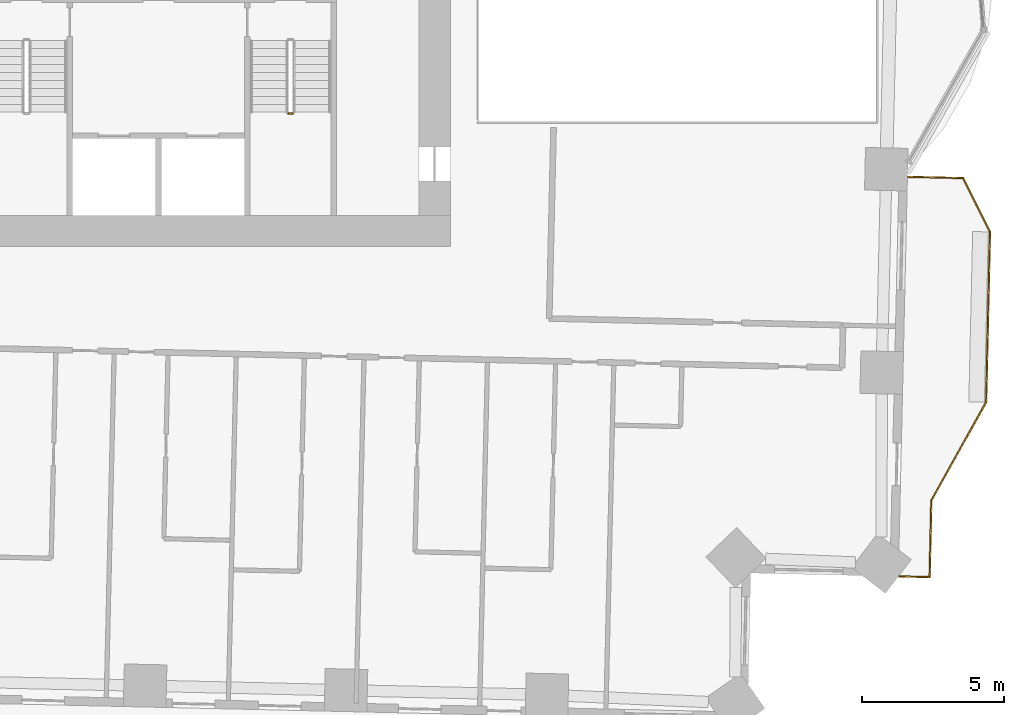
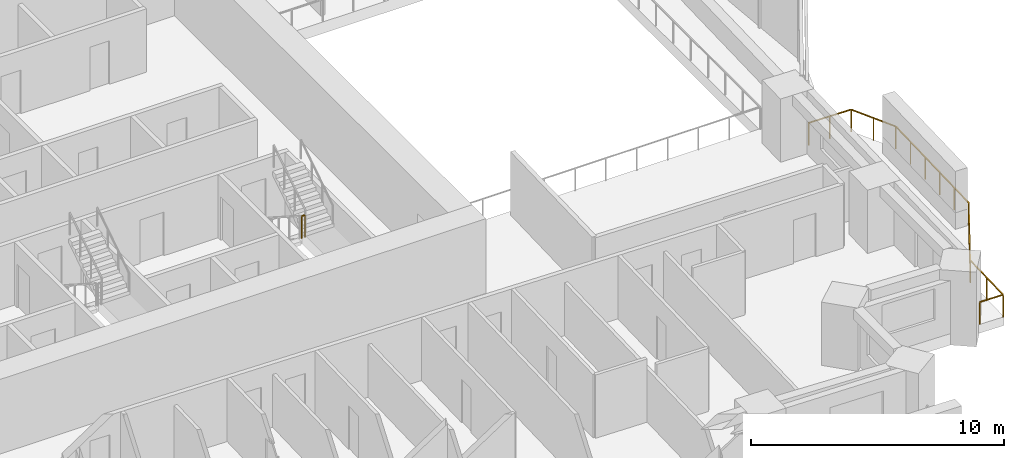
# One storey, part 17 of 19: 2 railings.
"""IFC4 building model written with IfcOpenShell, lengths in metres."""

import ifcopenshell
import ifcopenshell.guid

model = None  # the IFC model being written
_history = None  # IfcOwnerHistory: only IFC2X3 demands one
_inside = {}  # id of a spatial element -> (the spatial element, [elements in it])
_under = {}  # id of a project, library or spatial element -> (it, [spatial elements below it])
_declared = {}  # id of a project -> (the project, [libraries it declares])
_typed = {}  # id of a type object -> (the type object, [elements of that type])
_made_of = {}  # id of a material, layer set ... -> (it, [elements and type objects made of it])


def new_model(schema):
    """Start an empty IFC model of exactly this schema.

    Asked for "IFC4X3", IfcOpenShell would pick the latest addendum, in which some entities
    have other attributes; the version numbers below select the first issue.
    IFC2X3 requires an IfcOwnerHistory on every rooted entity: one is made here for all.
    """
    global model, _history
    if schema == "IFC4X3":
        model = ifcopenshell.file(schema_version=(4, 3, 0, 0))
    else:
        model = ifcopenshell.file(schema=schema)
    _inside.clear()
    _under.clear()
    _declared.clear()
    _typed.clear()
    _made_of.clear()
    _history = None
    if model.schema == "IFC2X3":
        org = make("IfcOrganization", Name="unknown")
        user = make(
            "IfcPersonAndOrganization",
            ThePerson=make("IfcPerson", FamilyName="unknown"),
            TheOrganization=org,
        )
        app = make(
            "IfcApplication",
            ApplicationDeveloper=org,
            Version="unknown",
            ApplicationFullName="unknown",
            ApplicationIdentifier="unknown",
        )
        _history = make(
            "IfcOwnerHistory",
            OwningUser=user,
            OwningApplication=app,
            ChangeAction="ADDED",
            CreationDate=0,
        )
    return model


def make(cls, **values):
    """One entity of the class cls with the attributes given. An attribute that is None is left unset."""
    return model.create_entity(
        cls, **{name: value for name, value in values.items() if value is not None}
    )


def rooted(cls, **values):
    """An entity with a GlobalId (a new one), such as an element, a storey or a relation."""
    return make(cls, GlobalId=ifcopenshell.guid.new(), OwnerHistory=_history, **values)


def si_unit(unit_type, name, prefix=None):
    """IfcSIUnit, for example si_unit("LENGTHUNIT", "METRE", prefix="MILLI")."""
    return make("IfcSIUnit", UnitType=unit_type, Prefix=prefix, Name=name)


def assignment(units):
    """IfcUnitAssignment: the units of a project."""
    return None if units is None else make("IfcUnitAssignment", Units=units)


def point(xyz):
    """IfcCartesianPoint."""
    return None if xyz is None else make("IfcCartesianPoint", Coordinates=xyz)


def direction(xyz):
    """IfcDirection."""
    return None if xyz is None else make("IfcDirection", DirectionRatios=xyz)


def frame(location, z_axis=None, x_axis=None):
    """IfcAxis2Placement3D, a coordinate frame: its origin and axes. An axis left out is left unset."""
    return make(
        "IfcAxis2Placement3D",
        Location=point(location),
        Axis=direction(z_axis),
        RefDirection=direction(x_axis),
    )


def frame_2d(location, x_axis=None):
    """IfcAxis2Placement2D, a coordinate frame in the plane: its origin and x axis."""
    return make(
        "IfcAxis2Placement2D", Location=point(location), RefDirection=direction(x_axis)
    )


def origin():
    """The frame at (0, 0, 0) with its axes left unset."""
    return frame((0.0, 0.0, 0.0))


def origin_2d():
    """The frame at (0, 0) in the plane with its x axis left unset."""
    return frame_2d((0.0, 0.0))


def place(relative_to, where):
    """IfcLocalPlacement: puts the frame where relative to a parent placement (None: the world)."""
    return make(
        "IfcLocalPlacement", PlacementRelTo=relative_to, RelativePlacement=where
    )


def context(
    kind, dimensions, precision=None, world=None, true_north=None, identifier=None
):
    """IfcGeometricRepresentationContext, for example the 3D "Model" context."""
    return make(
        "IfcGeometricRepresentationContext",
        ContextIdentifier=identifier,
        ContextType=kind,
        CoordinateSpaceDimension=dimensions,
        Precision=precision,
        WorldCoordinateSystem=world,
        TrueNorth=true_north,
    )


def subcontext(parent, identifier, kind, view, scale=None):
    """IfcGeometricRepresentationSubContext, for example "Body" below "Model"."""
    return make(
        "IfcGeometricRepresentationSubContext",
        ContextIdentifier=identifier,
        ContextType=kind,
        ParentContext=parent,
        TargetScale=scale,
        TargetView=view,
    )


def project(units=None, contexts=None):
    """IfcProject with its units and contexts."""
    return rooted(
        "IfcProject",
        Name="project",
        RepresentationContexts=contexts,
        UnitsInContext=assignment(units),
    )


def spatial(cls, under=None, at=None, **own):
    """A site, building, storey or space (cls), placed at a placement, below another one or the project."""
    s = rooted(cls, ObjectPlacement=at, **own)
    if under is not None:
        _under.setdefault(under.id(), (under, []))[1].append(s)
    return s


def profile(cls, at=None, kind="AREA", **sizes):
    """A parametric profile (cls). Its sizes go by their IFC names, for example OverallWidth=200.0."""
    return make(cls, ProfileType=kind, Position=at, **sizes)


def rectangle(**sizes):
    """IfcRectangleProfileDef."""
    return profile("IfcRectangleProfileDef", **sizes)


def extrude(swept, where, along, depth):
    """IfcExtrudedAreaSolid: the profile swept, set in the frame where, extruded along a direction by depth."""
    return make(
        "IfcExtrudedAreaSolid",
        SweptArea=swept,
        Position=where,
        ExtrudedDirection=direction(along),
        Depth=depth,
    )


def shape(context_of_items, identifier, shape_type, items):
    """IfcShapeRepresentation: the items that make up one representation, for example the "Body"."""
    return make(
        "IfcShapeRepresentation",
        ContextOfItems=context_of_items,
        RepresentationIdentifier=identifier,
        RepresentationType=shape_type,
        Items=items,
    )


def material(Name=None, Category=None):
    """IfcMaterial."""
    return make("IfcMaterial", Name=Name, Category=Category)


def made_of(thing, what):
    """Note that an element or type object is made of a material, layer set ...; save() writes the relation."""
    if what is not None:
        _made_of.setdefault(what.id(), (what, []))[1].append(thing)
    return thing


def type_object(cls, material=None, **own):
    """A type object (cls), such as IfcWallType, which elements share."""
    return made_of(rooted(cls, **own), material)


def element(
    cls,
    number,
    at=None,
    inside=None,
    cuts=None,
    type_object=None,
    material=None,
    context=None,
    identifier="Body",
    shape_type=None,
    held_by="IfcProductDefinitionShape",
    body=None,
    shapes=None,
    **own,
):
    """One element of the class cls, such as IfcWall. Its Tag is "e" and its number.

    at: its placement. inside: the storey or other place that contains it. cuts: it is an
    opening in that element (IfcRelVoidsElement). A single representation is given by context,
    identifier, shape_type and body (its items); several are given by shapes. held_by: the class
    of the entity that holds the representations. save() writes the other relations.
    """
    e = rooted(cls, Tag="e%d" % number, ObjectPlacement=at, **own)
    if body is not None:
        shapes = [shape(context, identifier, shape_type, body)]
    if shapes is not None:
        e.Representation = make(held_by, Representations=shapes)
    if inside is not None:
        _inside.setdefault(inside.id(), (inside, []))[1].append(e)
    if cuts is not None:
        rooted(
            "IfcRelVoidsElement", RelatingBuildingElement=cuts, RelatedOpeningElement=e
        )
    if type_object is not None:
        _typed.setdefault(type_object.id(), (type_object, []))[1].append(e)
    return made_of(e, material)


def aggregate(whole, parts):
    """IfcRelAggregates: a whole, such as a stair, and the parts it consists of."""
    return rooted("IfcRelAggregates", RelatingObject=whole, RelatedObjects=parts)


def save(model, path):
    """Write the relations noted so far, then the file.

    IfcRelAggregates (storeys below a building ...), IfcRelContainedInSpatialStructure (elements
    in a storey), IfcRelDefinesByType, IfcRelAssociatesMaterial and IfcRelDeclares: one each for
    every whole, place, type object, material and project.
    """
    for whole, parts in _under.values():
        aggregate(whole, parts)
    for where, things in _inside.values():
        rooted(
            "IfcRelContainedInSpatialStructure",
            RelatedElements=things,
            RelatingStructure=where,
        )
    for kind, things in _typed.values():
        rooted("IfcRelDefinesByType", RelatedObjects=things, RelatingType=kind)
    for what, things in _made_of.values():
        rooted("IfcRelAssociatesMaterial", RelatedObjects=things, RelatingMaterial=what)
    for by, libraries in _declared.values():
        rooted("IfcRelDeclares", RelatingContext=by, RelatedDefinitions=libraries)
    model.write(path)


model = new_model("IFC4")

# Units and contexts
model_context = context("Model", 3, precision=1e-05, world=origin(), true_north=direction((0.0, 1.0)))
body_context = subcontext(model_context, "Body", "Model", "MODEL_VIEW")
ifc_project = project(units=[si_unit("LENGTHUNIT", "METRE"), si_unit("AREAUNIT", "SQUARE_METRE"), si_unit("VOLUMEUNIT", "CUBIC_METRE"), si_unit("PLANEANGLEUNIT", "RADIAN"), si_unit("MASSUNIT", "GRAM", prefix="KILO")], contexts=[model_context])

# Site, building, storey
site_placement = place(None, origin())
site = spatial("IfcSite", under=ifc_project, at=site_placement, CompositionType="ELEMENT")
building_placement = place(site_placement, origin())
building = spatial("IfcBuilding", under=site, at=building_placement, Name="Mangrove Gate Tower", CompositionType="ELEMENT")
storey_placement = place(building_placement, frame((0.0, 0.0, 63.89990234375)))
storey = spatial("IfcBuildingStorey", under=building, at=storey_placement, Name="L15", CompositionType="ELEMENT", Elevation=63.89990234375)

# Railings
ifc_material_1 = material(Name="Stainless steel grade 316 with laminated glass infill", Category="steel")
railing_type_1 = type_object("IfcRailingType", Name="Balcony guard 1100", PredefinedType="GUARDRAIL", material=ifc_material_1)
railing_1_placement = place(storey_placement, frame((30.718994140625, -23.51611328125, 0.0)))
element("IfcRailing", 1, at=railing_1_placement, inside=storey, type_object=railing_type_1, Name="GUARD L15 E1", PredefinedType="GUARDRAIL", context=body_context, shape_type="SweptSolid", body=[
    extrude(rectangle(XDim=0.048095703125, YDim=0.048095703125, at=origin_2d()), frame((0.0, 0.0, 1.076171875), z_axis=(0.999745389313, -0.022564497502, 0.0), x_axis=(0.022564497502, 0.999745389313, 0.0)), (0.0, 0.0, 1.0), 1.060302734375),
    extrude(rectangle(XDim=0.048095703125, YDim=0.048095703125, at=origin_2d()), frame((1.06005859375, -0.02392578125, 1.076171875), z_axis=(0.02260842146, 0.999744396973, 0.0), x_axis=(-0.999744396973, 0.02260842146, 0.0)), (0.0, 0.0, 1.0), 2.69970703125),
    extrude(rectangle(XDim=0.048095703125, YDim=0.048095703125, at=origin_2d()), frame((1.12109375, 2.675048828125, 1.076171875), z_axis=(0.48726008209, 0.87325689943, 0.0), x_axis=(-0.87325689943, 0.48726008209, 0.0)), (0.0, 0.0, 1.0), 3.958740234375),
    extrude(rectangle(XDim=0.048095703125, YDim=0.048095703125, at=origin_2d()), frame((3.050048828125, 6.132080078125, 1.076171875), z_axis=(0.022662255828, 0.999743178102, 0.0), x_axis=(-0.999743178102, 0.022662255828, 0.0)), (0.0, 0.0, 1.0), 6.00048828125),
    extrude(rectangle(XDim=0.048095703125, YDim=0.048095703125, at=origin_2d()), frame((3.18603515625, 12.131103515625, 1.076171875), z_axis=(-0.4472135955, 0.894427191, 0.0), x_axis=(-0.894427191, -0.4472135955, 0.0)), (0.0, 0.0, 1.0), 2.119873046875),
    extrude(rectangle(XDim=0.048095703125, YDim=0.048095703125, at=origin_2d()), frame((2.238037109375, 14.027099609375, 1.076171875), z_axis=(-0.999737613728, 0.02290641172, 0.0), x_axis=(-0.02290641172, -0.999737613728, 0.0)), (0.0, 0.0, 1.0), 1.91845703125),
    extrude(rectangle(XDim=0.0419921875, YDim=0.0419921875, at=origin_2d()), origin(), (0.0, 0.0, 1.0), 1.052001953125),
    extrude(rectangle(XDim=0.0419921875, YDim=0.0419921875, at=origin_2d()), frame((1.06005859375, -0.02392578125, 0.0)), (0.0, 0.0, 1.0), 1.052001953125),
    extrude(rectangle(XDim=0.0419921875, YDim=0.0419921875, at=origin_2d()), frame((1.090576171875, 1.32568359375, 0.0)), (0.0, 0.0, 1.0), 1.052001953125),
    extrude(rectangle(XDim=0.0419921875, YDim=0.0419921875, at=origin_2d()), frame((1.12109375, 2.675048828125, 0.0)), (0.0, 0.0, 1.0), 1.052001953125),
    extrude(rectangle(XDim=0.0419921875, YDim=0.0419921875, at=origin_2d()), frame((1.76416015625, 3.827392578125, 0.0)), (0.0, 0.0, 1.0), 1.052001953125),
    extrude(rectangle(XDim=0.0419921875, YDim=0.0419921875, at=origin_2d()), frame((2.406982421875, 4.979736328125, 0.0)), (0.0, 0.0, 1.0), 1.052001953125),
    extrude(rectangle(XDim=0.0419921875, YDim=0.0419921875, at=origin_2d()), frame((3.050048828125, 6.132080078125, 0.0)), (0.0, 0.0, 1.0), 1.052001953125),
    extrude(rectangle(XDim=0.0419921875, YDim=0.0419921875, at=origin_2d()), frame((3.0771484375, 7.331787109375, 0.0)), (0.0, 0.0, 1.0), 1.052001953125),
    extrude(rectangle(XDim=0.0419921875, YDim=0.0419921875, at=origin_2d()), frame((3.1044921875, 8.53173828125, 0.0)), (0.0, 0.0, 1.0), 1.052001953125),
    extrude(rectangle(XDim=0.0419921875, YDim=0.0419921875, at=origin_2d()), frame((3.131591796875, 9.7314453125, 0.0)), (0.0, 0.0, 1.0), 1.052001953125),
    extrude(rectangle(XDim=0.0419921875, YDim=0.0419921875, at=origin_2d()), frame((3.158935546875, 10.931396484375, 0.0)), (0.0, 0.0, 1.0), 1.052001953125),
    extrude(rectangle(XDim=0.0419921875, YDim=0.0419921875, at=origin_2d()), frame((3.18603515625, 12.131103515625, 0.0)), (0.0, 0.0, 1.0), 1.052001953125),
    extrude(rectangle(XDim=0.0419921875, YDim=0.0419921875, at=origin_2d()), frame((2.7119140625, 13.0791015625, 0.0)), (0.0, 0.0, 1.0), 1.052001953125),
    extrude(rectangle(XDim=0.0419921875, YDim=0.0419921875, at=origin_2d()), frame((2.238037109375, 14.027099609375, 0.0)), (0.0, 0.0, 1.0), 1.052001953125),
    extrude(rectangle(XDim=0.0419921875, YDim=0.0419921875, at=origin_2d()), frame((1.279052734375, 14.049072265625, 0.0)), (0.0, 0.0, 1.0), 1.052001953125),
    extrude(rectangle(XDim=0.0419921875, YDim=0.0419921875, at=origin_2d()), frame((0.320068359375, 14.071044921875, 0.0)), (0.0, 0.0, 1.0), 1.052001953125),
])
ifc_material_2 = material(Name="Stainless steel 316", Category="steel")
railing_type_2 = type_object("IfcRailingType", Name="Core stair guard 1100", PredefinedType="GUARDRAIL", material=ifc_material_2)
railing_2_placement = place(storey_placement, frame((9.199951171875, -7.219970703125, 1.800048828125)))
element("IfcRailing", 2, at=railing_2_placement, inside=storey, type_object=railing_type_2, Name="L15 ST3 stair guard 2", PredefinedType="GUARDRAIL", context=body_context, shape_type="SweptSolid", body=[
    extrude(rectangle(XDim=0.048095703125, YDim=0.048095703125, at=origin_2d()), frame((0.0, 0.0, 1.076171875), z_axis=(1.0, 0.0, 0.0), x_axis=(0.0, 1.0, 0.0)), (0.0, 0.0, 1.0), 0.150146484375),
    extrude(rectangle(XDim=0.0419921875, YDim=0.0419921875, at=origin_2d()), origin(), (0.0, 0.0, 1.0), 1.052001953125),
    extrude(rectangle(XDim=0.0419921875, YDim=0.0419921875, at=origin_2d()), frame((0.150146484375, 0.0, 0.0)), (0.0, 0.0, 1.0), 1.052001953125),
])

save(model, "model.ifc")
